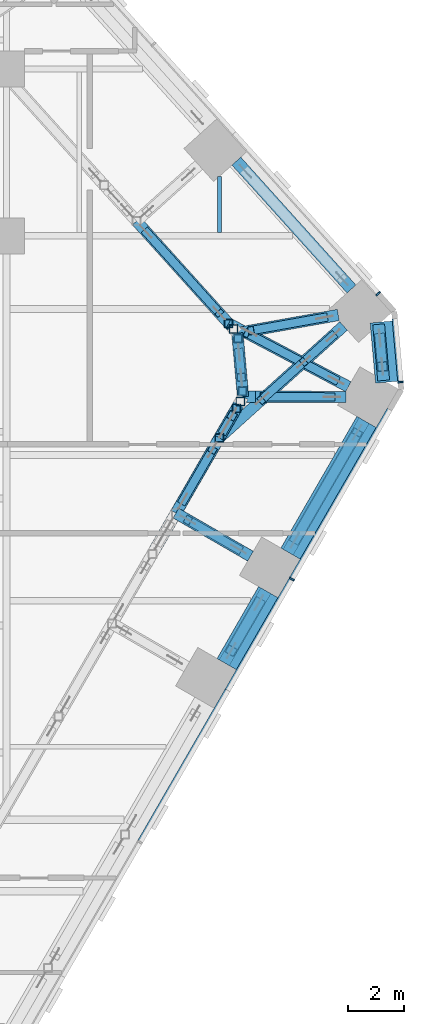
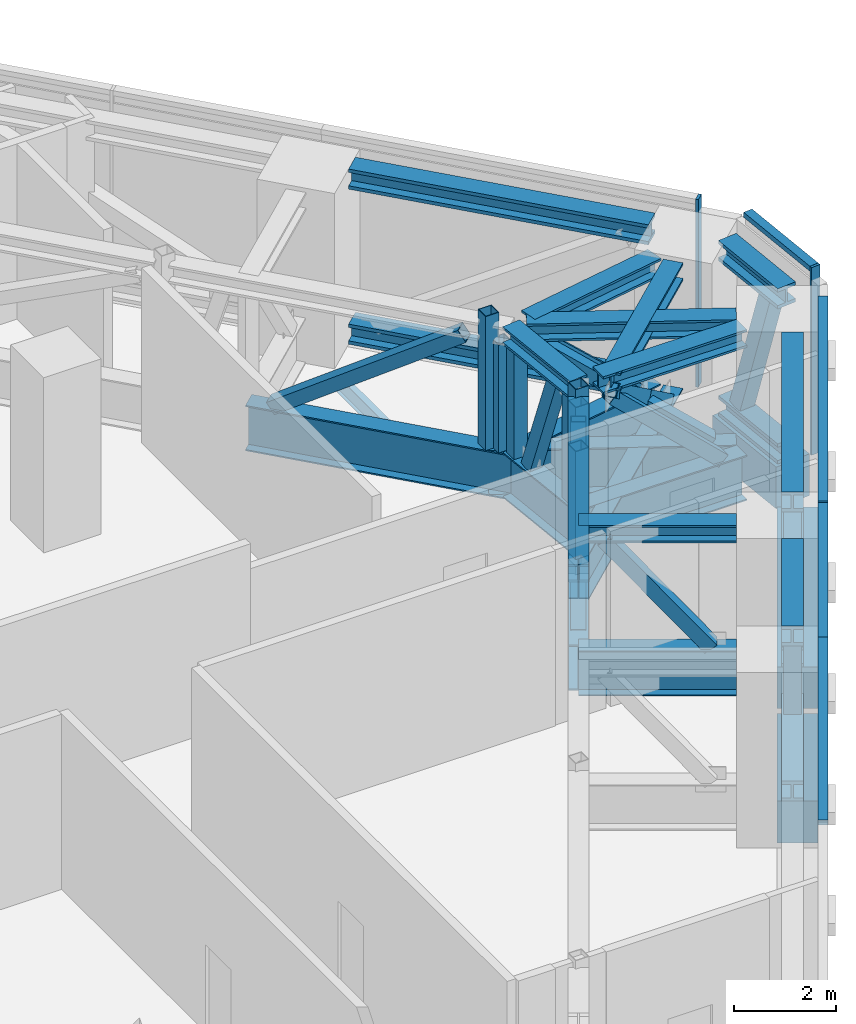
# One storey, part 16 of 36: 51 members, 4 beams, 3 elements without a shape of their own.
"""IFC4 building model written with IfcOpenShell, lengths in metres."""

from ifc_helpers import new_model, si_unit, direction, frame, origin, origin_2d, place, context, subcontext, project, spatial, rectangle, hollow_rectangle, i_section, extrude, material, layer, layer_set, material_profile, profile_set, type_object, element, aggregate, save


model = new_model("IFC4")

# Units and contexts
model_context = context("Model", 3, precision=1e-05, world=origin(), true_north=direction((0.0, 1.0)))
body_context = subcontext(model_context, "Body", "Model", "MODEL_VIEW")
ifc_project = project(units=[si_unit("LENGTHUNIT", "METRE"), si_unit("AREAUNIT", "SQUARE_METRE"), si_unit("VOLUMEUNIT", "CUBIC_METRE"), si_unit("PLANEANGLEUNIT", "RADIAN"), si_unit("MASSUNIT", "GRAM", prefix="KILO")], contexts=[model_context])

# Site, building, storey
site_placement = place(None, origin())
site = spatial("IfcSite", under=ifc_project, at=site_placement, CompositionType="ELEMENT")
building_placement = place(site_placement, origin())
building = spatial("IfcBuilding", under=site, at=building_placement, Name="Isthmus Gate Tower", CompositionType="ELEMENT")
storey_placement = place(building_placement, frame((0.0, 0.0, 117.14990234375)))
storey = spatial("IfcBuildingStorey", under=building, at=storey_placement, Name="L28", CompositionType="ELEMENT", Elevation=117.14990234375)

# Members
ifc_material_1 = material(Name="Structural steel ASTM A913 Gr 65", Category="steel")
ifc_material_profile_1 = material_profile(ifc_material_1, i_section(OverallWidth=0.4287109375, OverallDepth=0.482666015625, WebThickness=0.05078125, FlangeThickness=0.0810546875, at=origin_2d()), Name="W14X455")
ifc_profile_set_1 = profile_set([ifc_material_profile_1], Name="Structural steel ASTM A913 Gr 65")
member_type_1 = type_object("IfcMemberType", Name="BELT TRUSS CHORD W14X455", PredefinedType="CHORD", material=ifc_profile_set_1)
for number, where, z_axis, x_axis, name in (
    (1, (32.27099609375, 10.1904296875, 0.241455078125), (0.669139054219, -0.743137218903, 0.0), (0.743137218903, 0.669139054219, 0.0), "str-belt04-L28-01"),
    (2, (32.27099609375, 10.1904296875, 3.958740234375), (0.669139054219, -0.743137218903, 0.0), (0.743137218903, 0.669139054219, 0.0), "str-belt04-L28-02"),
):
    element("IfcMember", number, at=place(storey_placement, frame(where, z_axis=z_axis, x_axis=x_axis)), inside=storey, type_object=member_type_1, Name=name, PredefinedType="CHORD", context=body_context, shape_type="SweptSolid", body=[
        extrude(i_section(OverallWidth=0.4287109375, OverallDepth=0.482666015625, WebThickness=0.05078125, FlangeThickness=0.0810546875, at=origin_2d()), origin(), (0.0, 0.0, 1.0), 6.189453125),
    ])
for number, where, z_axis, x_axis, name in (
    (3, (37.39013671875, 4.318115234375, 0.241455078125), (0.089450203397, -0.995991295701, 0.0), (0.995991295701, 0.089450203397, 0.0), "str-belt05-L28-01"),
    (4, (37.39013671875, 4.318115234375, 3.958740234375), (0.089450203397, -0.995991295701, 0.0), (0.995991295701, 0.089450203397, 0.0), "str-belt05-L28-02"),
):
    element("IfcMember", number, at=place(storey_placement, frame(where, z_axis=z_axis, x_axis=x_axis)), inside=storey, type_object=member_type_1, Name=name, PredefinedType="CHORD", context=body_context, shape_type="SweptSolid", body=[
        extrude(i_section(OverallWidth=0.4287109375, OverallDepth=0.482666015625, WebThickness=0.05078125, FlangeThickness=0.0810546875, at=origin_2d()), origin(), (0.0, 0.0, 1.0), 2.02783203125),
    ])
for number, where, z_axis, x_axis, name in (
    (5, (36.867919921875, 0.857177734375, 0.241455078125), (-0.500008371742, -0.866020570303, 0.0), (0.866020570303, -0.500008371742, 0.0), "str-belt06-L28-01"),
    (6, (36.867919921875, 0.857177734375, 3.958740234375), (-0.500008371742, -0.866020570303, 0.0), (0.866020570303, -0.500008371742, 0.0), "str-belt06-L28-02"),
):
    element("IfcMember", number, at=place(storey_placement, frame(where, z_axis=z_axis, x_axis=x_axis)), inside=storey, type_object=member_type_1, Name=name, PredefinedType="CHORD", context=body_context, shape_type="SweptSolid", body=[
        extrude(i_section(OverallWidth=0.4287109375, OverallDepth=0.482666015625, WebThickness=0.05078125, FlangeThickness=0.0810546875, at=origin_2d()), origin(), (0.0, 0.0, 1.0), 5.4697265625),
    ])
for number, where, z_axis, x_axis, name in (
    (7, (33.333251953125, -5.265380859375, 0.241455078125), (-0.50005197487, -0.865995394, 0.0), (0.865995394, -0.50005197487, 0.0), "str-belt07-L28-01"),
    (8, (33.333251953125, -5.265380859375, 3.958740234375), (-0.50005197487, -0.865995394, 0.0), (0.865995394, -0.50005197487, 0.0), "str-belt07-L28-02"),
):
    element("IfcMember", number, at=place(storey_placement, frame(where, z_axis=z_axis, x_axis=x_axis)), inside=storey, type_object=member_type_1, Name=name, PredefinedType="CHORD", context=body_context, shape_type="SweptSolid", body=[
        extrude(i_section(OverallWidth=0.4287109375, OverallDepth=0.482666015625, WebThickness=0.05078125, FlangeThickness=0.0810546875, at=origin_2d()), origin(), (0.0, 0.0, 1.0), 2.992919921875),
    ])

# Curtain wall, member
ifc_material_2 = material(Name="Aluminium, pale champagne anodised", Category="aluminium")
ifc_layer = layer(ifc_material_2, 0.199951171875)
ifc_layer_set = layer_set([ifc_layer], Name="CW-2 LOUVRE CURTAIN WALL 200 DEEP")
curtain_wall_type = type_object("IfcCurtainWallType", Name="CW-2 LOUVRE CURTAIN WALL 200 DEEP", PredefinedType="NOTDEFINED", material=ifc_layer_set)
curtain_wall_1_placement = place(storey_placement, origin())
curtain_wall_1 = element("IfcCurtainWall", 9, at=curtain_wall_1_placement, inside=storey, type_object=curtain_wall_type, Name="CW-2 SE L28", PredefinedType="NOTDEFINED")
ifc_material_3 = material(Name="Aluminium, pale champagne anodised", Category="aluminium")
ifc_material_profile_2 = material_profile(ifc_material_3, rectangle(XDim=0.06005859375, YDim=0.199951171875, at=origin_2d()), Name="60x200")
ifc_profile_set_2 = profile_set([ifc_material_profile_2], Name="Aluminium, pale champagne anodised")
member_type_2 = type_object("IfcMemberType", Name="CW-2 MULLION 60 X 200", PredefinedType="MULLION", material=ifc_profile_set_2)
member_1_placement = place(storey_placement, frame((34.267822265625, -4.846435546875, 0.0), z_axis=(0.0, 0.0, 1.0), x_axis=(0.5, 0.866025403784, 0.0)))
member_1 = element("IfcMember", 10, at=member_1_placement, type_object=member_type_2, Name="CW-2 mullion", PredefinedType="MULLION", context=body_context, shape_type="SweptSolid", body=[
    extrude(rectangle(XDim=0.06005859375, YDim=0.199951171875, at=origin_2d()), origin(), (0.0, 0.0, 1.0), 4.5),
])

curtain_wall_2_placement = place(storey_placement, origin())
curtain_wall_2 = element("IfcCurtainWall", 11, at=curtain_wall_2_placement, inside=storey, type_object=curtain_wall_type, Name="CW-2 SE-NE L28", PredefinedType="NOTDEFINED")
member_2_placement = place(storey_placement, frame((38.178955078125, 2.24169921875, 0.0), z_axis=(0.0, 0.0, 1.0), x_axis=(-0.089396669717, 0.995996102123, 0.0)))
member_2 = element("IfcMember", 12, at=member_2_placement, type_object=member_type_2, Name="CW-2 mullion", PredefinedType="MULLION", context=body_context, shape_type="SweptSolid", body=[
    extrude(rectangle(XDim=0.06005859375, YDim=0.199951171875, at=origin_2d()), origin(), (0.0, 0.0, 1.0), 4.5),
])

curtain_wall_3_placement = place(storey_placement, origin())
curtain_wall_3 = element("IfcCurtainWall", 13, at=curtain_wall_3_placement, inside=storey, type_object=curtain_wall_type, Name="CW-2 NE L28", PredefinedType="NOTDEFINED")
member_3_placement = place(storey_placement, frame((37.37353515625, 5.419921875, 0.0), z_axis=(0.0, 0.0, 1.0), x_axis=(-0.669130606359, 0.743144825477, 0.0)))
member_3 = element("IfcMember", 14, at=member_3_placement, type_object=member_type_2, Name="CW-2 mullion", PredefinedType="MULLION", context=body_context, shape_type="SweptSolid", body=[
    extrude(rectangle(XDim=0.06005859375, YDim=0.199951171875, at=origin_2d()), origin(), (0.0, 0.0, 1.0), 4.5),
])
aggregate(curtain_wall_3, [member_3])

# Member
ifc_material_4 = material(Name="Aluminium, pale champagne anodised", Category="aluminium")
ifc_material_profile_3 = material_profile(ifc_material_4, rectangle(XDim=0.199951171875, YDim=0.1201171875, at=origin_2d()), Name="200x120")
ifc_profile_set_3 = profile_set([ifc_material_profile_3], Name="Aluminium, pale champagne anodised")
member_type_3 = type_object("IfcMemberType", Name="CW-2 TRANSOM 200 X 120", PredefinedType="USERDEFINED", material=ifc_profile_set_3)
member_4_placement = place(storey_placement, frame((28.817138671875, -14.287353515625, 4.440185546875), z_axis=(0.499995104884, 0.866028229963, 0.0), x_axis=(-0.866028229963, 0.499995104884, 0.0)))
member_4 = element("IfcMember", 15, at=member_4_placement, type_object=member_type_3, Name="CW-2 transom", ObjectType="TRANSOM", PredefinedType="USERDEFINED", context=body_context, shape_type="SweptSolid", body=[
    extrude(rectangle(XDim=0.199951171875, YDim=0.1201171875, at=origin_2d()), origin(), (0.0, 0.0, 1.0), 6.2783203125),
])

member_5_placement = place(storey_placement, frame((31.956298828125, -8.85009765625, 4.440185546875), z_axis=(0.499992401796, 0.866029790565, 0.0), x_axis=(-0.866029790565, 0.499992401796, 0.0)))
member_5 = element("IfcMember", 16, at=member_5_placement, type_object=member_type_3, Name="CW-2 transom", ObjectType="TRANSOM", PredefinedType="USERDEFINED", context=body_context, shape_type="SweptSolid", body=[
    extrude(rectangle(XDim=0.199951171875, YDim=0.1201171875, at=origin_2d()), origin(), (0.0, 0.0, 1.0), 4.5927734375),
])

member_6_placement = place(storey_placement, frame((34.28271484375, -4.820556640625, 4.440185546875), z_axis=(0.500004847053, 0.866022605319, 0.0), x_axis=(-0.866022605319, 0.500004847053, 0.0)))
member_6 = element("IfcMember", 17, at=member_6_placement, type_object=member_type_3, Name="CW-2 transom", ObjectType="TRANSOM", PredefinedType="USERDEFINED", context=body_context, shape_type="SweptSolid", body=[
    extrude(rectangle(XDim=0.199951171875, YDim=0.1201171875, at=origin_2d()), origin(), (0.0, 0.0, 1.0), 7.009765625),
])

aggregate(curtain_wall_1, [member_4, member_5, member_1, member_6])

member_7_placement = place(storey_placement, frame((38.17626953125, 2.271728515625, 4.440185546875), z_axis=(-0.089395362867, 0.995996219419, 0.0), x_axis=(-0.995996219419, -0.089395362867, 0.0)))
member_7 = element("IfcMember", 18, at=member_7_placement, type_object=member_type_3, Name="CW-2 transom", ObjectType="TRANSOM", PredefinedType="USERDEFINED", context=body_context, shape_type="SweptSolid", body=[
    extrude(rectangle(XDim=0.199951171875, YDim=0.1201171875, at=origin_2d()), origin(), (0.0, 0.0, 1.0), 2.258544921875),
])

aggregate(curtain_wall_2, [member_2, member_7])

# Beams
ifc_material_5 = material(Name="Concrete f'c 70 MPa", Category="concrete")
ifc_material_profile_4 = material_profile(ifc_material_5, rectangle(XDim=0.800048828125, YDim=1.0, at=origin_2d()), Name="RC 800X1000")
ifc_profile_set_4 = profile_set([ifc_material_profile_4], Name="Concrete f'c 70 MPa")
beam_type_1 = type_object("IfcBeamType", Name="RC SPANDREL 800 X 1000", PredefinedType="SPANDREL", material=ifc_profile_set_4)
beam_1_placement = place(storey_placement, frame((37.483154296875, 4.40185546875, -0.5), z_axis=(0.089421511639, -0.995993872098, 0.0), x_axis=(0.995993872098, 0.089421511639, 0.0)))
element("IfcBeam", 19, at=beam_1_placement, inside=storey, type_object=beam_type_1, Name="str-spandrel-L28-05", PredefinedType="SPANDREL", context=body_context, shape_type="SweptSolid", body=[
    extrude(rectangle(XDim=0.800048828125, YDim=1.0, at=origin_2d()), origin(), (0.0, 0.0, 1.0), 2.17333984375),
])
beam_2_placement = place(storey_placement, frame((36.95458984375, 0.80712890625, -0.5), z_axis=(-0.500008371742, -0.866020570303, 0.0), x_axis=(0.866020570303, -0.500008371742, 0.0)))
element("IfcBeam", 20, at=beam_2_placement, inside=storey, type_object=beam_type_1, Name="str-spandrel-L28-06", PredefinedType="SPANDREL", context=body_context, shape_type="SweptSolid", body=[
    extrude(rectangle(XDim=0.800048828125, YDim=1.0, at=origin_2d()), origin(), (0.0, 0.0, 1.0), 5.4697265625),
])
beam_3_placement = place(storey_placement, frame((33.419677734375, -5.315185546875, -0.5), z_axis=(-0.499955472713, -0.866051110099, 0.0), x_axis=(0.866051110099, -0.499955472713, 0.0)))
element("IfcBeam", 21, at=beam_3_placement, inside=storey, type_object=beam_type_1, Name="str-spandrel-L28-07", PredefinedType="SPANDREL", context=body_context, shape_type="SweptSolid", body=[
    extrude(rectangle(XDim=0.800048828125, YDim=1.0, at=origin_2d()), origin(), (0.0, 0.0, 1.0), 2.992919921875),
])
ifc_material_6 = material(Name="Structural steel ASTM A992 Gr 50", Category="steel")
ifc_material_profile_5 = material_profile(ifc_material_6, i_section(OverallWidth=0.1396484375, OverallDepth=0.4033203125, WebThickness=0.00634765625, FlangeThickness=0.010986328125, at=origin_2d()), Name="W16X31")
ifc_profile_set_5 = profile_set([ifc_material_profile_5], Name="Structural steel ASTM A992 Gr 50")
beam_type_2 = type_object("IfcBeamType", Name="STEEL FLOOR BEAM W16X31", PredefinedType="JOIST", material=ifc_profile_set_5)
beam_4_placement = place(storey_placement, frame((31.666259765625, 7.6142578125, -0.50146484375), z_axis=(0.0, 1.0, 0.0), x_axis=(-1.0, 0.0, 0.0)))
element("IfcBeam", 22, at=beam_4_placement, inside=storey, type_object=beam_type_2, Name="str-beam-L28-33-01", PredefinedType="JOIST", context=body_context, shape_type="SweptSolid", body=[
    extrude(i_section(OverallWidth=0.1396484375, OverallDepth=0.4033203125, WebThickness=0.00634765625, FlangeThickness=0.010986328125, at=origin_2d()), origin(), (0.0, 0.0, 1.0), 2.03173828125),
])

# Members
ifc_material_7 = material(Name="Structural steel ASTM A913 Gr 65", Category="steel")
ifc_material_profile_6 = material_profile(ifc_material_7, i_section(OverallWidth=0.40966796875, OverallDepth=0.42529296875, WebThickness=0.033203125, FlangeThickness=0.052490234375, at=origin_2d()), Name="W14X283")
ifc_profile_set_6 = profile_set([ifc_material_profile_6], Name="Structural steel ASTM A913 Gr 65")
member_type_4 = type_object("IfcMemberType", Name="TRANSFER TRUSS CHORD W14X283", PredefinedType="CHORD", material=ifc_profile_set_6)
member_8_placement = place(storey_placement, frame((32.30712890625, 4.004150390625, 3.887451171875), z_axis=(0.089387064999, -0.995996964157, 0.0), x_axis=(0.995996964157, 0.089387064999, 0.0)))
element("IfcMember", 23, at=member_8_placement, inside=storey, type_object=member_type_4, Name="str-ring02-L28-04", PredefinedType="CHORD", context=body_context, shape_type="SweptSolid", body=[
    extrude(i_section(OverallWidth=0.40966796875, OverallDepth=0.42529296875, WebThickness=0.033203125, FlangeThickness=0.052490234375, at=origin_2d()), origin(), (0.0, 0.0, 1.0), 2.2998046875),
])
member_9_placement = place(storey_placement, frame((32.197509765625, 1.167724609375, 3.887451171875), z_axis=(-0.49999584033, -0.866027805358, 0.0), x_axis=(0.866027805358, -0.49999584033, 0.0)))
element("IfcMember", 24, at=member_9_placement, inside=storey, type_object=member_type_4, Name="str-ring03-L28-16", PredefinedType="CHORD", context=body_context, shape_type="SweptSolid", body=[
    extrude(i_section(OverallWidth=0.40966796875, OverallDepth=0.42529296875, WebThickness=0.033203125, FlangeThickness=0.052490234375, at=origin_2d()), origin(), (0.0, 0.0, 1.0), 5.74609375),
])
member_10_placement = place(storey_placement, frame((32.780517578125, -4.0224609375, 3.887451171875), z_axis=(-0.86600983753, 0.500026960575, 0.0), x_axis=(-0.500026960575, -0.86600983753, 0.0)))
element("IfcMember", 25, at=member_10_placement, inside=storey, type_object=member_type_4, Name="str-link20-L28-02", PredefinedType="CHORD", context=body_context, shape_type="SweptSolid", body=[
    extrude(i_section(OverallWidth=0.40966796875, OverallDepth=0.42529296875, WebThickness=0.033203125, FlangeThickness=0.052490234375, at=origin_2d()), origin(), (0.0, 0.0, 1.0), 3.099853515625),
])
member_11_placement = place(storey_placement, frame((36.30078125, 2.073974609375, 3.887451171875), z_axis=(-0.88401668959, 0.467455337466, 0.0), x_axis=(-0.467455337466, -0.88401668959, 0.0)))
element("IfcMember", 26, at=member_11_placement, inside=storey, type_object=member_type_4, Name="str-link21-L28-02", PredefinedType="CHORD", context=body_context, shape_type="SweptSolid", body=[
    extrude(i_section(OverallWidth=0.40966796875, OverallDepth=0.42529296875, WebThickness=0.033203125, FlangeThickness=0.052490234375, at=origin_2d()), origin(), (0.0, 0.0, 1.0), 4.12548828125),
])
member_12_placement = place(storey_placement, frame((36.13037109375, 4.26025390625, 3.887451171875), z_axis=(-0.743144968365, -0.669130447667, 0.0), x_axis=(0.669130447667, -0.743144968365, 0.0)))
element("IfcMember", 27, at=member_12_placement, inside=storey, type_object=member_type_4, Name="str-link22-L28-02", PredefinedType="CHORD", context=body_context, shape_type="SweptSolid", body=[
    extrude(i_section(OverallWidth=0.40966796875, OverallDepth=0.42529296875, WebThickness=0.033203125, FlangeThickness=0.052490234375, at=origin_2d()), origin(), (0.0, 0.0, 1.0), 3.988037109375),
])
member_13_placement = place(storey_placement, frame((35.9375, 4.654541015625, 3.887451171875), z_axis=(-0.984322808544, -0.176376326586, 0.0), x_axis=(0.176376326586, -0.984322808544, 0.0)))
element("IfcMember", 28, at=member_13_placement, inside=storey, type_object=member_type_4, Name="str-link29-L28-02", PredefinedType="CHORD", context=body_context, shape_type="SweptSolid", body=[
    extrude(i_section(OverallWidth=0.40966796875, OverallDepth=0.42529296875, WebThickness=0.033203125, FlangeThickness=0.052490234375, at=origin_2d()), origin(), (0.0, 0.0, 1.0), 3.245849609375),
])
member_14_placement = place(storey_placement, frame((36.2080078125, 1.702392578125, 3.887451171875), z_axis=(-0.999995484918, 0.003005019863, 0.0), x_axis=(-0.003005019863, -0.999995484918, 0.0)))
element("IfcMember", 29, at=member_14_placement, inside=storey, type_object=member_type_4, Name="str-link30-L28-02", PredefinedType="CHORD", context=body_context, shape_type="SweptSolid", body=[
    extrude(i_section(OverallWidth=0.40966796875, OverallDepth=0.42529296875, WebThickness=0.033203125, FlangeThickness=0.052490234375, at=origin_2d()), origin(), (0.0, 0.0, 1.0), 3.249755859375),
])
ifc_material_8 = material(Name="Structural steel ASTM A913 Gr 65", Category="steel")
ifc_material_profile_7 = material_profile(ifc_material_8, i_section(OverallWidth=0.39990234375, OverallDepth=1.089111328125, WebThickness=0.017578125, FlangeThickness=0.03173828125, at=origin_2d()), Name="W44X230")
ifc_profile_set_7 = profile_set([ifc_material_profile_7], Name="Structural steel ASTM A913 Gr 65")
member_type_5 = type_object("IfcMemberType", Name="TRANSFER TRUSS CHORD W44X230", PredefinedType="CHORD", material=ifc_profile_set_7)
member_15_placement = place(storey_placement, frame((28.6796875, 8.03271484375, 0.544677734375), z_axis=(0.669141372353, -0.743135131592, 0.0), x_axis=(0.743135131592, 0.669141372353, 0.0)))
element("IfcMember", 30, at=member_15_placement, inside=storey, type_object=member_type_5, Name="str-ring01-L28-12", PredefinedType="CHORD", context=body_context, shape_type="SweptSolid", body=[
    extrude(i_section(OverallWidth=0.39990234375, OverallDepth=1.089111328125, WebThickness=0.017578125, FlangeThickness=0.03173828125, at=origin_2d()), origin(), (0.0, 0.0, 1.0), 5.421142578125),
])
member_16_placement = place(storey_placement, frame((32.30712890625, 4.004150390625, 0.544677734375), z_axis=(0.089387064999, -0.995996964157, 0.0), x_axis=(0.995996964157, 0.089387064999, 0.0)))
element("IfcMember", 31, at=member_16_placement, inside=storey, type_object=member_type_5, Name="str-ring02-L28-03", PredefinedType="CHORD", context=body_context, shape_type="SweptSolid", body=[
    extrude(i_section(OverallWidth=0.39990234375, OverallDepth=1.089111328125, WebThickness=0.017578125, FlangeThickness=0.03173828125, at=origin_2d()), origin(), (0.0, 0.0, 1.0), 2.2998046875),
])
member_17_placement = place(storey_placement, frame((32.5126953125, 1.713623046875, 0.544677734375), z_axis=(-0.500011000363, -0.866019052629, 0.0), x_axis=(0.866019052629, -0.500011000363, 0.0)))
element("IfcMember", 32, at=member_17_placement, inside=storey, type_object=member_type_5, Name="str-ring03-L28-11", PredefinedType="CHORD", context=body_context, shape_type="SweptSolid", body=[
    extrude(i_section(OverallWidth=0.39990234375, OverallDepth=1.089111328125, WebThickness=0.017578125, FlangeThickness=0.03173828125, at=origin_2d()), origin(), (0.0, 0.0, 1.0), 1.708984375),
])
member_18_placement = place(storey_placement, frame((31.658203125, 0.233642578125, 0.544677734375), z_axis=(-0.500004234368, -0.866022959057, 0.0), x_axis=(0.866022959057, -0.500004234368, 0.0)))
element("IfcMember", 33, at=member_18_placement, inside=storey, type_object=member_type_5, Name="str-ring03-L28-12", PredefinedType="CHORD", context=body_context, shape_type="SweptSolid", body=[
    extrude(i_section(OverallWidth=0.39990234375, OverallDepth=1.089111328125, WebThickness=0.017578125, FlangeThickness=0.03173828125, at=origin_2d()), origin(), (0.0, 0.0, 1.0), 3.125),
])
member_19_placement = place(storey_placement, frame((32.780517578125, -4.0224609375, 0.544677734375), z_axis=(-0.86600983753, 0.500026960575, 0.0), x_axis=(-0.500026960575, -0.86600983753, 0.0)))
element("IfcMember", 34, at=member_19_placement, inside=storey, type_object=member_type_5, Name="str-link20-L28-01", PredefinedType="CHORD", context=body_context, shape_type="SweptSolid", body=[
    extrude(i_section(OverallWidth=0.39990234375, OverallDepth=1.089111328125, WebThickness=0.017578125, FlangeThickness=0.03173828125, at=origin_2d()), origin(), (0.0, 0.0, 1.0), 3.099853515625),
])
member_20_placement = place(storey_placement, frame((36.30078125, 2.073974609375, 0.544677734375), z_axis=(-0.884020675984, 0.467447798618, 0.0), x_axis=(-0.467447798618, -0.884020675984, 0.0)))
element("IfcMember", 35, at=member_20_placement, inside=storey, type_object=member_type_5, Name="str-link21-L28-01", PredefinedType="CHORD", context=body_context, shape_type="SweptSolid", body=[
    extrude(i_section(OverallWidth=0.39990234375, OverallDepth=1.089111328125, WebThickness=0.017578125, FlangeThickness=0.03173828125, at=origin_2d()), origin(), (0.0, 0.0, 1.0), 4.870849609375),
])
member_21_placement = place(storey_placement, frame((36.13037109375, 4.26025390625, 0.544677734375), z_axis=(-0.743154945736, -0.669119366503, 0.0), x_axis=(0.669119366503, -0.743154945736, 0.0)))
element("IfcMember", 36, at=member_21_placement, inside=storey, type_object=member_type_5, Name="str-link22-L28-01", PredefinedType="CHORD", context=body_context, shape_type="SweptSolid", body=[
    extrude(i_section(OverallWidth=0.39990234375, OverallDepth=1.089111328125, WebThickness=0.017578125, FlangeThickness=0.03173828125, at=origin_2d()), origin(), (0.0, 0.0, 1.0), 6.01806640625),
])
member_22_placement = place(storey_placement, frame((35.9375, 4.654541015625, 0.544677734375), z_axis=(-0.984328412376, -0.176345049803, 0.0), x_axis=(0.176345049803, -0.984328412376, 0.0)))
element("IfcMember", 37, at=member_22_placement, inside=storey, type_object=member_type_5, Name="str-link29-L28-01", PredefinedType="CHORD", context=body_context, shape_type="SweptSolid", body=[
    extrude(i_section(OverallWidth=0.39990234375, OverallDepth=1.089111328125, WebThickness=0.017578125, FlangeThickness=0.03173828125, at=origin_2d()), origin(), (0.0, 0.0, 1.0), 3.688232421875),
])
member_23_placement = place(storey_placement, frame((36.2080078125, 1.702392578125, 0.544677734375), z_axis=(-0.999995381931, 0.003039098016, 0.0), x_axis=(-0.003039098016, -0.999995381931, 0.0)))
element("IfcMember", 38, at=member_23_placement, inside=storey, type_object=member_type_5, Name="str-link30-L28-01", PredefinedType="CHORD", context=body_context, shape_type="SweptSolid", body=[
    extrude(i_section(OverallWidth=0.39990234375, OverallDepth=1.089111328125, WebThickness=0.017578125, FlangeThickness=0.03173828125, at=origin_2d()), origin(), (0.0, 0.0, 1.0), 3.6953125),
])
ifc_material_9 = material(Name="Structural steel ASTM A500 Gr C", Category="steel")
ifc_material_profile_8 = material_profile(ifc_material_9, hollow_rectangle(XDim=0.3046875, YDim=0.3046875, WallThickness=0.014892578125, at=origin_2d()), Name="HSS12X12X5/8")
ifc_profile_set_8 = profile_set([ifc_material_profile_8], Name="Structural steel ASTM A500 Gr C")
member_type_6 = type_object("IfcMemberType", Name="TRANSFER TRUSS DIAGONAL HSS12X12X5/8", PredefinedType="BRACE", material=ifc_profile_set_8)
member_24_placement = place(storey_placement, frame((29.014404296875, 7.6611328125, 1.089111328125), z_axis=(0.560012310462, -0.621971778972, 0.547300025847), x_axis=(0.743152902673, 0.669121635615, 0.0)))
element("IfcMember", 39, at=member_24_placement, inside=storey, type_object=member_type_6, Name="str-ring01-L28-23", PredefinedType="BRACE", context=body_context, shape_type="SweptSolid", body=[
    extrude(hollow_rectangle(XDim=0.3046875, YDim=0.3046875, WallThickness=0.014892578125, at=origin_2d()), origin(), (0.0, 0.0, 1.0), 4.724365234375),
])
member_25_placement = place(storey_placement, frame((32.36962890625, 3.306884765625, 1.089111328125), z_axis=(0.029426568974, -0.327437458398, 0.944414521212), x_axis=(0.995986053804, 0.089508550587, 0.0)))
element("IfcMember", 40, at=member_25_placement, inside=storey, type_object=member_type_6, Name="str-ring02-L28-05", PredefinedType="BRACE", context=body_context, shape_type="SweptSolid", body=[
    extrude(hollow_rectangle(XDim=0.3046875, YDim=0.3046875, WallThickness=0.014892578125, at=origin_2d()), origin(), (0.0, 0.0, 1.0), 2.73779296875),
])
member_26_placement = place(storey_placement, frame((31.81591796875, 0.5068359375, 1.089111328125), z_axis=(0.113038986097, 0.195725762745, 0.974121970505), x_axis=(-0.865955154139, 0.50012165622, 0.0)))
element("IfcMember", 41, at=member_26_placement, inside=storey, type_object=member_type_6, Name="str-ring03-L28-21", PredefinedType="BRACE", context=body_context, shape_type="SweptSolid", body=[
    extrude(hollow_rectangle(XDim=0.3046875, YDim=0.3046875, WallThickness=0.014892578125, at=origin_2d()), origin(), (0.0, 0.0, 1.0), 2.654296875),
])
member_27_placement = place(storey_placement, frame((30.345703125, -2.039794921875, 1.089111328125), z_axis=(0.317460797576, 0.549866611243, 0.772570612852), x_axis=(-0.866028703517, 0.499994284652, 0.0)))
element("IfcMember", 42, at=member_27_placement, inside=storey, type_object=member_type_6, Name="str-ring03-L28-22", PredefinedType="BRACE", context=body_context, shape_type="SweptSolid", body=[
    extrude(hollow_rectangle(XDim=0.3046875, YDim=0.3046875, WallThickness=0.014892578125, at=origin_2d()), origin(), (0.0, 0.0, 1.0), 3.346923828125),
])
member_28_placement = place(storey_placement, frame((32.347412109375, -3.7724609375, 1.089111328125), z_axis=(-0.545959035767, 0.315232892044, 0.776245421911), x_axis=(-0.500027713859, -0.866009402589, 0.0)))
element("IfcMember", 43, at=member_28_placement, inside=storey, type_object=member_type_6, Name="str-link20-L28-03", PredefinedType="BRACE", context=body_context, shape_type="SweptSolid", body=[
    extrude(hollow_rectangle(XDim=0.3046875, YDim=0.3046875, WallThickness=0.014892578125, at=origin_2d()), origin(), (0.0, 0.0, 1.0), 3.3310546875),
])
member_29_placement = place(storey_placement, frame((35.85888671875, 2.3076171875, 1.089111328125), z_axis=(-0.719728806527, 0.380587856102, 0.58064044713), x_axis=(-0.467460706217, -0.884013850651, 0.0)))
element("IfcMember", 44, at=member_29_placement, inside=storey, type_object=member_type_6, Name="str-link21-L28-03", PredefinedType="BRACE", context=body_context, shape_type="SweptSolid", body=[
    extrude(hollow_rectangle(XDim=0.3046875, YDim=0.3046875, WallThickness=0.014892578125, at=origin_2d()), origin(), (0.0, 0.0, 1.0), 4.453125),
])
member_30_placement = place(storey_placement, frame((35.7587890625, 3.92578125, 1.089111328125), z_axis=(-0.596984272823, -0.537600551896, 0.595479155473), x_axis=(0.669181130005, -0.743099330672, 0.0)))
element("IfcMember", 45, at=member_30_placement, inside=storey, type_object=member_type_6, Name="str-link22-L28-03", PredefinedType="BRACE", context=body_context, shape_type="SweptSolid", body=[
    extrude(hollow_rectangle(XDim=0.3046875, YDim=0.3046875, WallThickness=0.014892578125, at=origin_2d()), origin(), (0.0, 0.0, 1.0), 1.7841796875),
])
member_31_placement = place(storey_placement, frame((35.4453125, 4.56640625, 1.089111328125), z_axis=(-0.709407920462, -0.127114798075, 0.693240384352), x_axis=(0.176375277652, -0.984322996497, 0.0)))
element("IfcMember", 46, at=member_31_placement, inside=storey, type_object=member_type_6, Name="str-link29-L28-03", PredefinedType="BRACE", context=body_context, shape_type="SweptSolid", body=[
    extrude(hollow_rectangle(XDim=0.3046875, YDim=0.3046875, WallThickness=0.014892578125, at=origin_2d()), origin(), (0.0, 0.0, 1.0), 3.72998046875),
])
member_32_placement = place(storey_placement, frame((35.7080078125, 1.703857421875, 1.089111328125), z_axis=(-0.721645722635, 0.002205779669, 0.692259045111), x_axis=(-0.003056582054, -0.999995328642, 0.0)))
element("IfcMember", 47, at=member_32_placement, inside=storey, type_object=member_type_6, Name="str-link30-L28-03", PredefinedType="BRACE", context=body_context, shape_type="SweptSolid", body=[
    extrude(hollow_rectangle(XDim=0.3046875, YDim=0.3046875, WallThickness=0.014892578125, at=origin_2d()), origin(), (0.0, 0.0, 1.0), 3.43115234375),
])
member_33_placement = place(storey_placement, frame((34.693603515625, 2.966552734375, 2.151611328125), z_axis=(-0.596985697557, -0.537516223688, 0.595553848266), x_axis=(0.669122279008, -0.743152323373, 0.0)))
element("IfcMember", 48, at=member_33_placement, inside=storey, type_object=member_type_6, Name="str-link22-L28-03b", PredefinedType="BRACE", context=body_context, shape_type="SweptSolid", body=[
    extrude(hollow_rectangle(XDim=0.3046875, YDim=0.3046875, WallThickness=0.014892578125, at=origin_2d()), origin(), (0.0, 0.0, 1.0), 2.5576171875),
])
ifc_material_10 = material(Name="Structural steel ASTM A500 Gr C", Category="steel")
ifc_material_profile_9 = material_profile(ifc_material_10, hollow_rectangle(XDim=0.3046875, YDim=0.3046875, WallThickness=0.014892578125, at=origin_2d()), Name="HSS12X12X5/8")
ifc_profile_set_9 = profile_set([ifc_material_profile_9], Name="Structural steel ASTM A500 Gr C")
member_type_7 = type_object("IfcMemberType", Name="TRANSFER TRUSS POST HSS12X12X5/8", PredefinedType="POST", material=ifc_profile_set_9)
member_34_placement = place(storey_placement, frame((31.99462890625, 4.35107421875, 1.089111328125), z_axis=(0.0, 0.0, 1.0), x_axis=(1.0, 0.0, 0.0)))
element("IfcMember", 49, at=member_34_placement, inside=storey, type_object=member_type_7, Name="str-ring01-L28-07", PredefinedType="POST", context=body_context, shape_type="SweptSolid", body=[
    extrude(hollow_rectangle(XDim=0.3046875, YDim=0.3046875, WallThickness=0.014892578125, at=origin_2d()), origin(), (0.0, 0.0, 1.0), 3.2109375),
])
for number, where, z_axis, x_axis, name in (
    (50, (32.17333984375, 4.152587890625, 1.089111328125), (0.0, 0.0, 1.0), (1.0, 0.0, 0.0), "str-ring01-L28-08"),
    (51, (32.324951171875, 3.804931640625, 1.089111328125), (0.0, 0.0, 1.0), (1.0, 0.0, 0.0), "str-ring02-L28-01"),
    (52, (32.494873046875, 1.91259765625, 1.089111328125), (0.0, 0.0, 1.0), (1.0, 0.0, 0.0), "str-ring02-L28-02"),
    (53, (32.41259765625, 1.54052734375, 1.089111328125), (0.0, 0.0, 1.0), (1.0, 0.0, 0.0), "str-ring03-L28-01"),
):
    element("IfcMember", number, at=place(storey_placement, frame(where, z_axis=z_axis, x_axis=x_axis)), inside=storey, type_object=member_type_7, Name=name, PredefinedType="POST", context=body_context, shape_type="SweptSolid", body=[
        extrude(hollow_rectangle(XDim=0.3046875, YDim=0.3046875, WallThickness=0.014892578125, at=origin_2d()), origin(), (0.0, 0.0, 1.0), 2.585693359375),
    ])
member_35_placement = place(storey_placement, frame((32.273681640625, 1.299560546875, 1.089111328125), z_axis=(0.0, 0.0, 1.0), x_axis=(1.0, 0.0, 0.0)))
element("IfcMember", 54, at=member_35_placement, inside=storey, type_object=member_type_7, Name="str-ring03-L28-02", PredefinedType="POST", context=body_context, shape_type="SweptSolid", body=[
    extrude(hollow_rectangle(XDim=0.3046875, YDim=0.3046875, WallThickness=0.014892578125, at=origin_2d()), origin(), (0.0, 0.0, 1.0), 3.2109375),
])
member_36_placement = place(storey_placement, frame((31.658203125, 0.233642578125, 1.089111328125), z_axis=(0.0, 0.0, 1.0), x_axis=(1.0, 0.0, 0.0)))
element("IfcMember", 55, at=member_36_placement, inside=storey, type_object=member_type_7, Name="str-ring03-L28-03", PredefinedType="POST", context=body_context, shape_type="SweptSolid", body=[
    extrude(hollow_rectangle(XDim=0.3046875, YDim=0.3046875, WallThickness=0.014892578125, at=origin_2d()), origin(), (0.0, 0.0, 1.0), 2.585693359375),
])
ifc_material_11 = material(Name="Structural steel ASTM A500 Gr C", Category="steel")
ifc_material_profile_10 = material_profile(ifc_material_11, hollow_rectangle(XDim=0.355712890625, YDim=0.355712890625, WallThickness=0.017578125, at=origin_2d()), Name="HSS14X14X3/4")
ifc_profile_set_10 = profile_set([ifc_material_profile_10], Name="Structural steel ASTM A500 Gr C")
member_type_8 = type_object("IfcMemberType", Name="TRUSS DIAGONAL HSS14X14X3/4", PredefinedType="BRACE", material=ifc_profile_set_10)
member_37_placement = place(storey_placement, frame((37.434814453125, 3.820068359375, 0.482666015625), z_axis=(0.027116977951, -0.301595460344, 0.953050286085), x_axis=(0.995982281372, 0.089550517548, 0.0)))
element("IfcMember", 56, at=member_37_placement, inside=storey, type_object=member_type_8, Name="str-belt05-L28-03", PredefinedType="BRACE", context=body_context, shape_type="SweptSolid", body=[
    extrude(hollow_rectangle(XDim=0.355712890625, YDim=0.355712890625, WallThickness=0.017578125, at=origin_2d()), origin(), (0.0, 0.0, 1.0), 3.394287109375),
])
member_38_placement = place(storey_placement, frame((36.617919921875, 0.424072265625, 3.717529296875), z_axis=(-0.405065053547, -0.701540458699, -0.586313301234), x_axis=(0.86600911045, -0.500028219822, 0.0)))
element("IfcMember", 57, at=member_38_placement, inside=storey, type_object=member_type_8, Name="str-belt06-L28-03", PredefinedType="BRACE", context=body_context, shape_type="SweptSolid", body=[
    extrude(hollow_rectangle(XDim=0.355712890625, YDim=0.355712890625, WallThickness=0.017578125, at=origin_2d()), origin(), (0.0, 0.0, 1.0), 5.517333984375),
])
member_39_placement = place(storey_placement, frame((33.083251953125, -5.6982421875, 0.482666015625), z_axis=(-0.26229470936, -0.454228638037, 0.851397574479), x_axis=(0.865987688271, -0.500065319497, 0.0)))
element("IfcMember", 58, at=member_39_placement, inside=storey, type_object=member_type_8, Name="str-belt07-L28-03", PredefinedType="BRACE", context=body_context, shape_type="SweptSolid", body=[
    extrude(hollow_rectangle(XDim=0.355712890625, YDim=0.355712890625, WallThickness=0.017578125, at=origin_2d()), origin(), (0.0, 0.0, 1.0), 3.799560546875),
])

save(model, "model.ifc")
